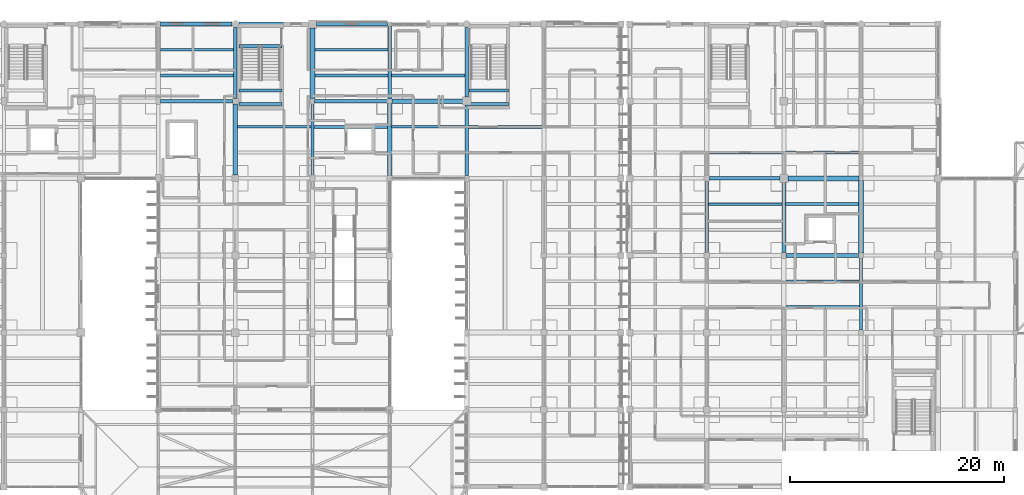
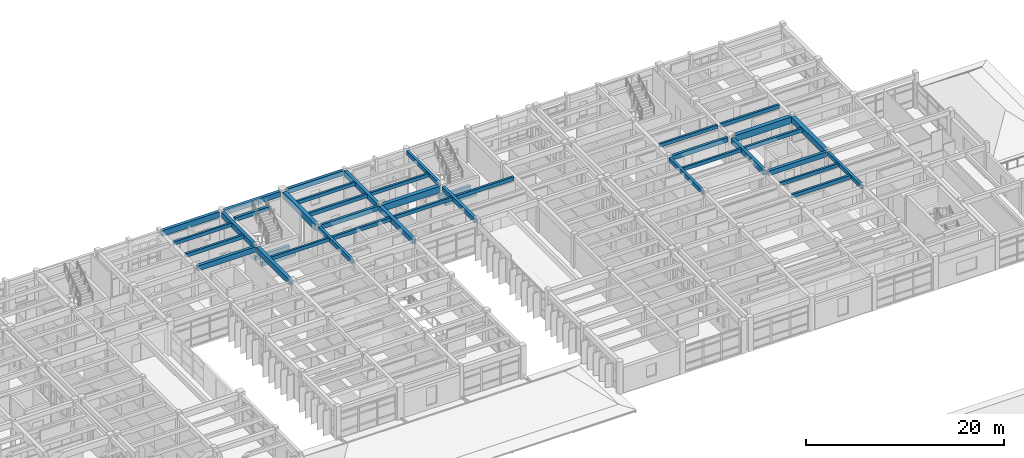
# One storey, part 33 of 100: 41 beams.
"""IFC4 building model written with IfcOpenShell, lengths in metres."""

from ifc_helpers import new_model, si_unit, direction, frame, origin, origin_2d, place, context, subcontext, project, spatial, rectangle, extrude, material, material_profile, profile_set, type_object, element, save


model = new_model("IFC4")

# Units and contexts
model_context = context("Model", 3, precision=1e-05, world=origin(), true_north=direction((0.0, 1.0)))
body_context = subcontext(model_context, "Body", "Model", "MODEL_VIEW")
ifc_project = project(units=[si_unit("LENGTHUNIT", "METRE"), si_unit("AREAUNIT", "SQUARE_METRE"), si_unit("VOLUMEUNIT", "CUBIC_METRE"), si_unit("PLANEANGLEUNIT", "RADIAN"), si_unit("MASSUNIT", "GRAM", prefix="KILO")], contexts=[model_context])

# Site, building, storey
site_placement = place(None, origin())
site = spatial("IfcSite", under=ifc_project, at=site_placement, CompositionType="ELEMENT")
building_placement = place(site_placement, origin())
building = spatial("IfcBuilding", under=site, at=building_placement, Name="Steenspoor Specialist Clinic", CompositionType="ELEMENT")
storey_placement = place(building_placement, frame((0.0, 0.0, 9.0)))
storey = spatial("IfcBuildingStorey", under=building, at=storey_placement, Name="L02", CompositionType="ELEMENT", Elevation=9.0)

# Beams
ifc_material = material(Name="Concrete C35/45", Category="concrete")
ifc_material_profile_1 = material_profile(ifc_material, rectangle(XDim=0.300048828125, YDim=0.47998046875, at=origin_2d()), Name="RC-BM-300X480")
ifc_profile_set_1 = profile_set([ifc_material_profile_1], Name="Concrete C35/45")
beam_type_1 = type_object("IfcBeamType", Name="BM-RC-300X480", PredefinedType="BEAM", material=ifc_profile_set_1)
for number, where, z_axis, x_axis, name in (
    (1, (103.0, 102.14990234375, 1.659912109375), (1.0, 0.0, 0.0), (0.0, 1.0, 0.0), "Stair Mid-Landing Bearer 1 ST-V4B L02"),
    (2, (103.0, 100.89990234375, 1.659912109375), (1.0, 0.0, 0.0), (0.0, 1.0, 0.0), "Stair Mid-Landing Bearer 2 ST-V4B L02"),
):
    element("IfcBeam", number, at=place(storey_placement, frame(where, z_axis=z_axis, x_axis=x_axis)), inside=storey, type_object=beam_type_1, Name=name, PredefinedType="BEAM", context=body_context, shape_type="SweptSolid", body=[
        extrude(rectangle(XDim=0.300048828125, YDim=0.47998046875, at=origin_2d()), origin(), (0.0, 0.0, 1.0), 3.699951171875),
    ])
for number, where, z_axis, x_axis, name in (
    (3, (81.550048828125, 102.14990234375, 1.659912109375), (1.0, 0.0, 0.0), (0.0, 1.0, 0.0), "Stair Mid-Landing Bearer 1 ST-V4C L02"),
    (4, (81.550048828125, 100.89990234375, 1.659912109375), (1.0, 0.0, 0.0), (0.0, 1.0, 0.0), "Stair Mid-Landing Bearer 2 ST-V4C L02"),
    (5, (81.550048828125, 106.280029296875, 3.9599609375), (1.0, 0.0, 0.0), (0.0, 1.0, 0.0), "Stair Well Trimmer Beam ST-V4C L02"),
):
    element("IfcBeam", number, at=place(storey_placement, frame(where, z_axis=z_axis, x_axis=x_axis)), inside=storey, type_object=beam_type_1, Name=name, PredefinedType="BEAM", context=body_context, shape_type="SweptSolid", body=[
        extrude(rectangle(XDim=0.300048828125, YDim=0.47998046875, at=origin_2d()), origin(), (0.0, 0.0, 1.0), 4.0),
    ])
beam_1_placement = place(storey_placement, frame((102.800048828125, 101.52001953125, 3.7099609375), z_axis=(0.0, 1.0, 0.0), x_axis=(-1.0, 0.0, 0.0)))
element("IfcBeam", 6, at=beam_1_placement, inside=storey, type_object=beam_type_1, Name="BM-V4-L02-Y0724", PredefinedType="BEAM", context=body_context, shape_type="SweptSolid", body=[
    extrude(rectangle(XDim=0.300048828125, YDim=0.47998046875, at=origin_2d()), origin(), (0.0, 0.0, 1.0), 6.510009765625),
])
beam_2_placement = place(storey_placement, frame((125.199951171875, 87.02001953125, 3.7099609375), z_axis=(0.0, 1.0, 0.0), x_axis=(-1.0, 0.0, 0.0)))
element("IfcBeam", 7, at=beam_2_placement, inside=storey, type_object=beam_type_1, Name="BM-V6-L02-Y1636", PredefinedType="BEAM", context=body_context, shape_type="SweptSolid", body=[
    extrude(rectangle(XDim=0.300048828125, YDim=0.47998046875, at=origin_2d()), origin(), (0.0, 0.0, 1.0), 6.68505859375),
])
beam_3_placement = place(storey_placement, frame((139.60009765625, 79.794921875, 3.7099609375), z_axis=(0.0, 1.0, 0.0), x_axis=(-1.0, 0.0, 0.0)))
element("IfcBeam", 8, at=beam_3_placement, inside=storey, type_object=beam_type_1, Name="BM-V6-L02-Y1647", PredefinedType="BEAM", context=body_context, shape_type="SweptSolid", body=[
    extrude(rectangle(XDim=0.300048828125, YDim=0.47998046875, at=origin_2d()), origin(), (0.0, 0.0, 1.0), 6.735107421875),
])
ifc_material_profile_2 = material_profile(ifc_material, rectangle(XDim=0.300048828125, YDim=0.550048828125, at=origin_2d()), Name="RC-BM-300X550")
ifc_profile_set_2 = profile_set([ifc_material_profile_2], Name="Concrete C35/45")
beam_type_2 = type_object("IfcBeamType", Name="BM-RC-300X550", PredefinedType="BEAM", material=ifc_profile_set_2)
beam_4_placement = place(storey_placement, frame((88.594970703125, 101.14990234375, 3.675048828125), z_axis=(1.0, 0.0, 0.0), x_axis=(0.0, 1.0, 0.0)))
element("IfcBeam", 9, at=beam_4_placement, inside=storey, type_object=beam_type_2, Name="BM-V4-L02-X0673", PredefinedType="BEAM", context=body_context, shape_type="SweptSolid", body=[
    extrude(rectangle(XDim=0.300048828125, YDim=0.550048828125, at=origin_2d()), origin(), (0.0, 0.0, 1.0), 6.784912109375),
])
beam_5_placement = place(storey_placement, frame((88.39990234375, 94.2451171875, 3.675048828125), z_axis=(0.0, 1.0, 0.0), x_axis=(-1.0, 0.0, 0.0)))
element("IfcBeam", 10, at=beam_5_placement, inside=storey, type_object=beam_type_2, Name="BM-V4-L02-Y0714", PredefinedType="BEAM", context=body_context, shape_type="SweptSolid", body=[
    extrude(rectangle(XDim=0.300048828125, YDim=0.550048828125, at=origin_2d()), origin(), (0.0, 0.0, 1.0), 6.634765625),
])
beam_6_placement = place(storey_placement, frame((125.445068359375, 93.949951171875, 3.675048828125), z_axis=(1.0, 0.0, 0.0), x_axis=(0.0, 1.0, 0.0)))
element("IfcBeam", 11, at=beam_6_placement, inside=storey, type_object=beam_type_2, Name="BM-V6-L02-X1617", PredefinedType="BEAM", context=body_context, shape_type="SweptSolid", body=[
    extrude(rectangle(XDim=0.300048828125, YDim=0.550048828125, at=origin_2d()), origin(), (0.0, 0.0, 1.0), 6.5849609375),
])
ifc_material_profile_3 = material_profile(ifc_material, rectangle(XDim=0.35009765625, YDim=0.52001953125, at=origin_2d()), Name="RC-BM-350X520")
ifc_profile_set_3 = profile_set([ifc_material_profile_3], Name="Concrete C35/45")
beam_type_3 = type_object("IfcBeamType", Name="BM-RC-350X520", PredefinedType="BEAM", material=ifc_profile_set_3)
beam_7_placement = place(storey_placement, frame((102.800048828125, 94.219970703125, 3.68994140625), z_axis=(0.0, 1.0, 0.0), x_axis=(-1.0, 0.0, 0.0)))
element("IfcBeam", 12, at=beam_7_placement, inside=storey, type_object=beam_type_3, Name="BM-V4-L02-Y0723", PredefinedType="BEAM", context=body_context, shape_type="SweptSolid", body=[
    extrude(rectangle(XDim=0.35009765625, YDim=0.52001953125, at=origin_2d()), origin(), (0.0, 0.0, 1.0), 6.56005859375),
])
ifc_material_profile_4 = material_profile(ifc_material, rectangle(XDim=0.35009765625, YDim=0.580078125, at=origin_2d()), Name="RC-BM-350X580")
ifc_profile_set_4 = profile_set([ifc_material_profile_4], Name="Concrete C35/45")
beam_type_4 = type_object("IfcBeamType", Name="BM-RC-350X580", PredefinedType="BEAM", material=ifc_profile_set_4)
beam_8_placement = place(storey_placement, frame((132.594970703125, 86.75, 3.659912109375), z_axis=(1.0, 0.0, 0.0), x_axis=(0.0, 1.0, 0.0)))
element("IfcBeam", 13, at=beam_8_placement, inside=storey, type_object=beam_type_4, Name="BM-V6-L02-X1614", PredefinedType="BEAM", context=body_context, shape_type="SweptSolid", body=[
    extrude(rectangle(XDim=0.35009765625, YDim=0.580078125, at=origin_2d()), origin(), (0.0, 0.0, 1.0), 6.784912109375),
])
ifc_material_profile_5 = material_profile(ifc_material, rectangle(XDim=0.35009765625, YDim=0.64990234375, at=origin_2d()), Name="RC-BM-350X650")
ifc_profile_set_5 = profile_set([ifc_material_profile_5], Name="Concrete C35/45")
beam_type_5 = type_object("IfcBeamType", Name="BM-RC-350X650", PredefinedType="BEAM", material=ifc_profile_set_5)
beam_9_placement = place(storey_placement, frame((74.219970703125, 101.14990234375, 3.625), z_axis=(1.0, 0.0, 0.0), x_axis=(0.0, 1.0, 0.0)))
element("IfcBeam", 14, at=beam_9_placement, inside=storey, type_object=beam_type_5, Name="BM-V4-L02-X0672", PredefinedType="BEAM", context=body_context, shape_type="SweptSolid", body=[
    extrude(rectangle(XDim=0.35009765625, YDim=0.64990234375, at=origin_2d()), origin(), (0.0, 0.0, 1.0), 6.7099609375),
])
beam_10_placement = place(storey_placement, frame((81.199951171875, 101.419921875, 3.625), z_axis=(0.0, 1.0, 0.0), x_axis=(-1.0, 0.0, 0.0)))
element("IfcBeam", 15, at=beam_10_placement, inside=storey, type_object=beam_type_5, Name="BM-V4-L02-Y0710", PredefinedType="BEAM", context=body_context, shape_type="SweptSolid", body=[
    extrude(rectangle(XDim=0.35009765625, YDim=0.64990234375, at=origin_2d()), origin(), (0.0, 0.0, 1.0), 6.610107421875),
])
beam_11_placement = place(storey_placement, frame((95.60009765625, 101.3701171875, 3.625), z_axis=(0.0, 1.0, 0.0), x_axis=(-1.0, 0.0, 0.0)))
element("IfcBeam", 16, at=beam_11_placement, inside=storey, type_object=beam_type_5, Name="BM-V4-L02-Y0720", PredefinedType="BEAM", context=body_context, shape_type="SweptSolid", body=[
    extrude(rectangle(XDim=0.35009765625, YDim=0.64990234375, at=origin_2d()), origin(), (0.0, 0.0, 1.0), 6.784912109375),
])
beam_12_placement = place(storey_placement, frame((132.39990234375, 87.02001953125, 3.625), z_axis=(0.0, 1.0, 0.0), x_axis=(-1.0, 0.0, 0.0)))
element("IfcBeam", 17, at=beam_12_placement, inside=storey, type_object=beam_type_5, Name="BM-V6-L02-Y1642", PredefinedType="BEAM", context=body_context, shape_type="SweptSolid", body=[
    extrude(rectangle(XDim=0.35009765625, YDim=0.64990234375, at=origin_2d()), origin(), (0.0, 0.0, 1.0), 6.56005859375),
])
ifc_material_profile_6 = material_profile(ifc_material, rectangle(XDim=0.39990234375, YDim=0.64990234375, at=origin_2d()), Name="RC-BM-400X650")
ifc_profile_set_6 = profile_set([ifc_material_profile_6], Name="Concrete C35/45")
beam_type_6 = type_object("IfcBeamType", Name="BM-RC-400X650", PredefinedType="BEAM", material=ifc_profile_set_6)
beam_13_placement = place(storey_placement, frame((81.199951171875, 94.2451171875, 3.625), z_axis=(0.0, 1.0, 0.0), x_axis=(-1.0, 0.0, 0.0)))
element("IfcBeam", 18, at=beam_13_placement, inside=storey, type_object=beam_type_6, Name="BM-V4-L02-Y0709", PredefinedType="BEAM", context=body_context, shape_type="SweptSolid", body=[
    extrude(rectangle(XDim=0.39990234375, YDim=0.64990234375, at=origin_2d()), origin(), (0.0, 0.0, 1.0), 6.634765625),
])
beam_14_placement = place(storey_placement, frame((95.60009765625, 94.195068359375, 3.625), z_axis=(0.0, 1.0, 0.0), x_axis=(-1.0, 0.0, 0.0)))
element("IfcBeam", 19, at=beam_14_placement, inside=storey, type_object=beam_type_6, Name="BM-V4-L02-Y0719", PredefinedType="BEAM", context=body_context, shape_type="SweptSolid", body=[
    extrude(rectangle(XDim=0.39990234375, YDim=0.64990234375, at=origin_2d()), origin(), (0.0, 0.0, 1.0), 6.73486328125),
])
ifc_material_profile_7 = material_profile(ifc_material, rectangle(XDim=0.449951171875, YDim=0.719970703125, at=origin_2d()), Name="RC-BM-450X720")
ifc_profile_set_7 = profile_set([ifc_material_profile_7], Name="Concrete C35/45")
beam_type_7 = type_object("IfcBeamType", Name="BM-RC-450X720", PredefinedType="BEAM", material=ifc_profile_set_7)
beam_15_placement = place(storey_placement, frame((139.60009765625, 86.969970703125, 3.590087890625), z_axis=(0.0, 1.0, 0.0), x_axis=(-1.0, 0.0, 0.0)))
element("IfcBeam", 20, at=beam_15_placement, inside=storey, type_object=beam_type_7, Name="BM-V6-L02-Y1648", PredefinedType="BEAM", context=body_context, shape_type="SweptSolid", body=[
    extrude(rectangle(XDim=0.449951171875, YDim=0.719970703125, at=origin_2d()), origin(), (0.0, 0.0, 1.0), 6.784912109375),
])
ifc_material_profile_8 = material_profile(ifc_material, rectangle(XDim=0.449951171875, YDim=0.800048828125, at=origin_2d()), Name="RC-BM-450X800")
ifc_profile_set_8 = profile_set([ifc_material_profile_8], Name="Concrete C35/45")
beam_type_8 = type_object("IfcBeamType", Name="BM-RC-450X800", PredefinedType="BEAM", material=ifc_profile_set_8)
beam_16_placement = place(storey_placement, frame((95.820068359375, 101.14990234375, 3.550048828125), z_axis=(1.0, 0.0, 0.0), x_axis=(0.0, 1.0, 0.0)))
element("IfcBeam", 21, at=beam_16_placement, inside=storey, type_object=beam_type_8, Name="BM-V4-L02-X0674", PredefinedType="BEAM", context=body_context, shape_type="SweptSolid", body=[
    extrude(rectangle(XDim=0.449951171875, YDim=0.800048828125, at=origin_2d()), origin(), (0.0, 0.0, 1.0), 6.60986328125),
])
beam_17_placement = place(storey_placement, frame((88.39990234375, 101.419921875, 3.550048828125), z_axis=(0.0, 1.0, 0.0), x_axis=(-1.0, 0.0, 0.0)))
element("IfcBeam", 22, at=beam_17_placement, inside=storey, type_object=beam_type_8, Name="BM-V4-L02-Y0715", PredefinedType="BEAM", context=body_context, shape_type="SweptSolid", body=[
    extrude(rectangle(XDim=0.449951171875, YDim=0.800048828125, at=origin_2d()), origin(), (0.0, 0.0, 1.0), 6.56005859375),
])
beam_18_placement = place(storey_placement, frame((132.77001953125, 93.949951171875, 3.550048828125), z_axis=(1.0, 0.0, 0.0), x_axis=(0.0, 1.0, 0.0)))
element("IfcBeam", 23, at=beam_18_placement, inside=storey, type_object=beam_type_8, Name="BM-V6-L02-X1618", PredefinedType="BEAM", context=body_context, shape_type="SweptSolid", body=[
    extrude(rectangle(XDim=0.449951171875, YDim=0.800048828125, at=origin_2d()), origin(), (0.0, 0.0, 1.0), 6.635009765625),
])
ifc_material_profile_9 = material_profile(ifc_material, rectangle(XDim=0.239990234375, YDim=0.419921875, at=origin_2d()), Name="RC-JT-240X420")
ifc_profile_set_9 = profile_set([ifc_material_profile_9], Name="Concrete C35/45")
beam_type_9 = type_object("IfcBeamType", Name="JT-RC-240X420", PredefinedType="JOIST", material=ifc_profile_set_9)
beam_19_placement = place(storey_placement, frame((74.219970703125, 105.949951171875, 3.739990234375), z_axis=(1.0, 0.0, 0.0), x_axis=(0.0, 1.0, 0.0)))
element("IfcBeam", 24, at=beam_19_placement, inside=storey, type_object=beam_type_9, Name="JT-V4-L02-0767", PredefinedType="JOIST", context=body_context, shape_type="SweptSolid", body=[
    extrude(rectangle(XDim=0.239990234375, YDim=0.419921875, at=origin_2d()), origin(), (0.0, 0.0, 1.0), 6.81005859375),
])
beam_20_placement = place(storey_placement, frame((81.39501953125, 98.75, 3.739990234375), z_axis=(1.0, 0.0, 0.0), x_axis=(0.0, 1.0, 0.0)))
element("IfcBeam", 25, at=beam_20_placement, inside=storey, type_object=beam_type_9, Name="JT-V4-L02-0775", PredefinedType="JOIST", context=body_context, shape_type="SweptSolid", body=[
    extrude(rectangle(XDim=0.239990234375, YDim=0.419921875, at=origin_2d()), origin(), (0.0, 0.0, 1.0), 6.85986328125),
])
beam_21_placement = place(storey_placement, frame((88.6201171875, 105.949951171875, 3.739990234375), z_axis=(1.0, 0.0, 0.0), x_axis=(0.0, 1.0, 0.0)))
element("IfcBeam", 26, at=beam_21_placement, inside=storey, type_object=beam_type_9, Name="JT-V4-L02-0785", PredefinedType="JOIST", context=body_context, shape_type="SweptSolid", body=[
    extrude(rectangle(XDim=0.239990234375, YDim=0.419921875, at=origin_2d()), origin(), (0.0, 0.0, 1.0), 6.809814453125),
])
beam_22_placement = place(storey_placement, frame((95.794921875, 98.75, 3.739990234375), z_axis=(1.0, 0.0, 0.0), x_axis=(0.0, 1.0, 0.0)))
element("IfcBeam", 27, at=beam_22_placement, inside=storey, type_object=beam_type_9, Name="JT-V4-L02-0787", PredefinedType="JOIST", context=body_context, shape_type="SweptSolid", body=[
    extrude(rectangle(XDim=0.239990234375, YDim=0.419921875, at=origin_2d()), origin(), (0.0, 0.0, 1.0), 6.8349609375),
])
for number, where, z_axis, x_axis, name in (
    (28, (95.77001953125, 103.550048828125, 3.739990234375), (1.0, 0.0, 0.0), (0.0, 1.0, 0.0), "JT-V4-L02-0788"),
    (29, (125.344970703125, 91.550048828125, 3.739990234375), (1.0, 0.0, 0.0), (0.0, 1.0, 0.0), "JT-V6-L02-1676"),
):
    element("IfcBeam", number, at=place(storey_placement, frame(where, z_axis=z_axis, x_axis=x_axis)), inside=storey, type_object=beam_type_9, Name=name, PredefinedType="JOIST", context=body_context, shape_type="SweptSolid", body=[
        extrude(rectangle(XDim=0.239990234375, YDim=0.419921875, at=origin_2d()), origin(), (0.0, 0.0, 1.0), 6.885009765625),
    ])
beam_23_placement = place(storey_placement, frame((125.419921875, 96.35009765625, 3.739990234375), z_axis=(1.0, 0.0, 0.0), x_axis=(0.0, 1.0, 0.0)))
element("IfcBeam", 30, at=beam_23_placement, inside=storey, type_object=beam_type_9, Name="JT-V6-L02-1677", PredefinedType="JOIST", context=body_context, shape_type="SweptSolid", body=[
    extrude(rectangle(XDim=0.239990234375, YDim=0.419921875, at=origin_2d()), origin(), (0.0, 0.0, 1.0), 6.81005859375),
])
beam_24_placement = place(storey_placement, frame((132.594970703125, 84.35009765625, 3.739990234375), z_axis=(1.0, 0.0, 0.0), x_axis=(0.0, 1.0, 0.0)))
element("IfcBeam", 31, at=beam_24_placement, inside=storey, type_object=beam_type_9, Name="JT-V6-L02-1684", PredefinedType="JOIST", context=body_context, shape_type="SweptSolid", body=[
    extrude(rectangle(XDim=0.239990234375, YDim=0.419921875, at=origin_2d()), origin(), (0.0, 0.0, 1.0), 6.860107421875),
])
ifc_material_profile_10 = material_profile(ifc_material, rectangle(XDim=0.260009765625, YDim=0.4599609375, at=origin_2d()), Name="RC-JT-260X460")
ifc_profile_set_10 = profile_set([ifc_material_profile_10], Name="Concrete C35/45")
beam_type_10 = type_object("IfcBeamType", Name="JT-RC-260X460", PredefinedType="JOIST", material=ifc_profile_set_10)
beam_25_placement = place(storey_placement, frame((74.219970703125, 103.550048828125, 3.719970703125), z_axis=(1.0, 0.0, 0.0), x_axis=(0.0, 1.0, 0.0)))
element("IfcBeam", 32, at=beam_25_placement, inside=storey, type_object=beam_type_10, Name="JT-V4-L02-0766", PredefinedType="JOIST", context=body_context, shape_type="SweptSolid", body=[
    extrude(rectangle(XDim=0.260009765625, YDim=0.4599609375, at=origin_2d()), origin(), (0.0, 0.0, 1.0), 6.81005859375),
])
beam_26_placement = place(storey_placement, frame((88.544921875, 98.75, 3.719970703125), z_axis=(1.0, 0.0, 0.0), x_axis=(0.0, 1.0, 0.0)))
element("IfcBeam", 33, at=beam_26_placement, inside=storey, type_object=beam_type_10, Name="JT-V4-L02-0783", PredefinedType="JOIST", context=body_context, shape_type="SweptSolid", body=[
    extrude(rectangle(XDim=0.260009765625, YDim=0.4599609375, at=origin_2d()), origin(), (0.0, 0.0, 1.0), 6.860107421875),
])
beam_27_placement = place(storey_placement, frame((88.6201171875, 103.550048828125, 3.719970703125), z_axis=(1.0, 0.0, 0.0), x_axis=(0.0, 1.0, 0.0)))
element("IfcBeam", 34, at=beam_27_placement, inside=storey, type_object=beam_type_10, Name="JT-V4-L02-0784", PredefinedType="JOIST", context=body_context, shape_type="SweptSolid", body=[
    extrude(rectangle(XDim=0.260009765625, YDim=0.4599609375, at=origin_2d()), origin(), (0.0, 0.0, 1.0), 6.809814453125),
])
beam_28_placement = place(storey_placement, frame((102.969970703125, 98.75, 3.719970703125), z_axis=(1.0, 0.0, 0.0), x_axis=(0.0, 1.0, 0.0)))
element("IfcBeam", 35, at=beam_28_placement, inside=storey, type_object=beam_type_10, Name="JT-V4-L02-0796", PredefinedType="JOIST", context=body_context, shape_type="SweptSolid", body=[
    extrude(rectangle(XDim=0.260009765625, YDim=0.4599609375, at=origin_2d()), origin(), (0.0, 0.0, 1.0), 6.8349609375),
])
beam_29_placement = place(storey_placement, frame((132.594970703125, 81.949951171875, 3.719970703125), z_axis=(1.0, 0.0, 0.0), x_axis=(0.0, 1.0, 0.0)))
element("IfcBeam", 36, at=beam_29_placement, inside=storey, type_object=beam_type_10, Name="JT-V6-L02-1683", PredefinedType="JOIST", context=body_context, shape_type="SweptSolid", body=[
    extrude(rectangle(XDim=0.260009765625, YDim=0.4599609375, at=origin_2d()), origin(), (0.0, 0.0, 1.0), 6.860107421875),
])
beam_30_placement = place(storey_placement, frame((132.570068359375, 91.550048828125, 3.719970703125), z_axis=(1.0, 0.0, 0.0), x_axis=(0.0, 1.0, 0.0)))
element("IfcBeam", 37, at=beam_30_placement, inside=storey, type_object=beam_type_10, Name="JT-V6-L02-1685", PredefinedType="JOIST", context=body_context, shape_type="SweptSolid", body=[
    extrude(rectangle(XDim=0.260009765625, YDim=0.4599609375, at=origin_2d()), origin(), (0.0, 0.0, 1.0), 6.809814453125),
])
beam_31_placement = place(storey_placement, frame((132.570068359375, 96.35009765625, 3.719970703125), z_axis=(1.0, 0.0, 0.0), x_axis=(0.0, 1.0, 0.0)))
element("IfcBeam", 38, at=beam_31_placement, inside=storey, type_object=beam_type_10, Name="JT-V6-L02-1686", PredefinedType="JOIST", context=body_context, shape_type="SweptSolid", body=[
    extrude(rectangle(XDim=0.260009765625, YDim=0.4599609375, at=origin_2d()), origin(), (0.0, 0.0, 1.0), 6.8349609375),
])
ifc_material_profile_11 = material_profile(ifc_material, rectangle(XDim=0.320068359375, YDim=0.60009765625, at=origin_2d()), Name="RC-SP-320X600")
ifc_profile_set_11 = profile_set([ifc_material_profile_11], Name="Concrete C35/45")
beam_type_11 = type_object("IfcBeamType", Name="SP-RC-320X600", PredefinedType="SPANDREL", material=ifc_profile_set_11)
beam_32_placement = place(storey_placement, frame((88.77001953125, 108.35009765625, 3.64990234375), z_axis=(1.0, 0.0, 0.0), x_axis=(0.0, 1.0, 0.0)))
element("IfcBeam", 39, at=beam_32_placement, inside=storey, type_object=beam_type_11, Name="BM-V4-L02-X0681", PredefinedType="SPANDREL", context=body_context, shape_type="SweptSolid", body=[
    extrude(rectangle(XDim=0.320068359375, YDim=0.60009765625, at=origin_2d()), origin(), (0.0, 0.0, 1.0), 6.635009765625),
])
ifc_material_profile_12 = material_profile(ifc_material, rectangle(XDim=0.360107421875, YDim=0.639892578125, at=origin_2d()), Name="RC-SP-360X640")
ifc_profile_set_12 = profile_set([ifc_material_profile_12], Name="Concrete C35/45")
beam_type_12 = type_object("IfcBeamType", Name="SP-RC-360X640", PredefinedType="SPANDREL", material=ifc_profile_set_12)
beam_33_placement = place(storey_placement, frame((81.52001953125, 108.35009765625, 3.6298828125), z_axis=(1.0, 0.0, 0.0), x_axis=(0.0, 1.0, 0.0)))
element("IfcBeam", 40, at=beam_33_placement, inside=storey, type_object=beam_type_12, Name="BM-V4-L02-X0680", PredefinedType="SPANDREL", context=body_context, shape_type="SweptSolid", body=[
    extrude(rectangle(XDim=0.360107421875, YDim=0.639892578125, at=origin_2d()), origin(), (0.0, 0.0, 1.0), 6.510009765625),
])
ifc_material_profile_13 = material_profile(ifc_material, rectangle(XDim=0.360107421875, YDim=0.719970703125, at=origin_2d()), Name="RC-SP-360X720")
ifc_profile_set_13 = profile_set([ifc_material_profile_13], Name="Concrete C35/45")
beam_type_13 = type_object("IfcBeamType", Name="SP-RC-360X720", PredefinedType="SPANDREL", material=ifc_profile_set_13)
beam_34_placement = place(storey_placement, frame((74.219970703125, 108.35009765625, 3.590087890625), z_axis=(1.0, 0.0, 0.0), x_axis=(0.0, 1.0, 0.0)))
element("IfcBeam", 41, at=beam_34_placement, inside=storey, type_object=beam_type_13, Name="BM-V4-L02-X0679", PredefinedType="SPANDREL", context=body_context, shape_type="SweptSolid", body=[
    extrude(rectangle(XDim=0.360107421875, YDim=0.719970703125, at=origin_2d()), origin(), (0.0, 0.0, 1.0), 6.659912109375),
])

save(model, "model.ifc")
